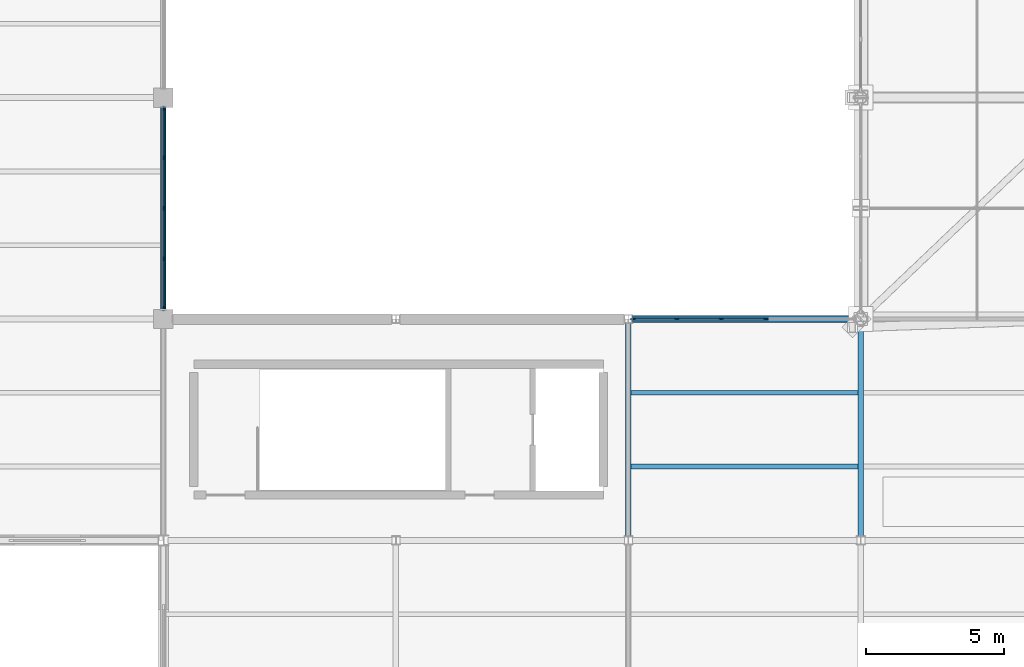
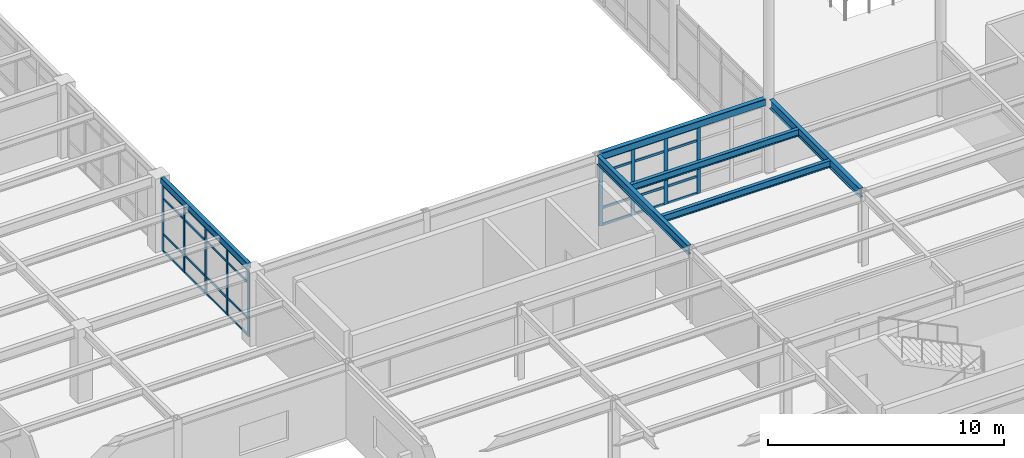
# One storey, part 28 of 138: 37 members, 6 beams, 2 elements without a shape of their own.
"""IFC4 building model written with IfcOpenShell, lengths in metres."""

import ifcopenshell
import ifcopenshell.guid

model = None  # the IFC model being written
_history = None  # IfcOwnerHistory: only IFC2X3 demands one
_inside = {}  # id of a spatial element -> (the spatial element, [elements in it])
_under = {}  # id of a project, library or spatial element -> (it, [spatial elements below it])
_declared = {}  # id of a project -> (the project, [libraries it declares])
_typed = {}  # id of a type object -> (the type object, [elements of that type])
_made_of = {}  # id of a material, layer set ... -> (it, [elements and type objects made of it])


def new_model(schema):
    """Start an empty IFC model of exactly this schema.

    Asked for "IFC4X3", IfcOpenShell would pick the latest addendum, in which some entities
    have other attributes; the version numbers below select the first issue.
    IFC2X3 requires an IfcOwnerHistory on every rooted entity: one is made here for all.
    """
    global model, _history
    if schema == "IFC4X3":
        model = ifcopenshell.file(schema_version=(4, 3, 0, 0))
    else:
        model = ifcopenshell.file(schema=schema)
    _inside.clear()
    _under.clear()
    _declared.clear()
    _typed.clear()
    _made_of.clear()
    _history = None
    if model.schema == "IFC2X3":
        org = make("IfcOrganization", Name="unknown")
        user = make(
            "IfcPersonAndOrganization",
            ThePerson=make("IfcPerson", FamilyName="unknown"),
            TheOrganization=org,
        )
        app = make(
            "IfcApplication",
            ApplicationDeveloper=org,
            Version="unknown",
            ApplicationFullName="unknown",
            ApplicationIdentifier="unknown",
        )
        _history = make(
            "IfcOwnerHistory",
            OwningUser=user,
            OwningApplication=app,
            ChangeAction="ADDED",
            CreationDate=0,
        )
    return model


def make(cls, **values):
    """One entity of the class cls with the attributes given. An attribute that is None is left unset."""
    return model.create_entity(
        cls, **{name: value for name, value in values.items() if value is not None}
    )


def rooted(cls, **values):
    """An entity with a GlobalId (a new one), such as an element, a storey or a relation."""
    return make(cls, GlobalId=ifcopenshell.guid.new(), OwnerHistory=_history, **values)


def si_unit(unit_type, name, prefix=None):
    """IfcSIUnit, for example si_unit("LENGTHUNIT", "METRE", prefix="MILLI")."""
    return make("IfcSIUnit", UnitType=unit_type, Prefix=prefix, Name=name)


def assignment(units):
    """IfcUnitAssignment: the units of a project."""
    return None if units is None else make("IfcUnitAssignment", Units=units)


def point(xyz):
    """IfcCartesianPoint."""
    return None if xyz is None else make("IfcCartesianPoint", Coordinates=xyz)


def direction(xyz):
    """IfcDirection."""
    return None if xyz is None else make("IfcDirection", DirectionRatios=xyz)


def frame(location, z_axis=None, x_axis=None):
    """IfcAxis2Placement3D, a coordinate frame: its origin and axes. An axis left out is left unset."""
    return make(
        "IfcAxis2Placement3D",
        Location=point(location),
        Axis=direction(z_axis),
        RefDirection=direction(x_axis),
    )


def frame_2d(location, x_axis=None):
    """IfcAxis2Placement2D, a coordinate frame in the plane: its origin and x axis."""
    return make(
        "IfcAxis2Placement2D", Location=point(location), RefDirection=direction(x_axis)
    )


def origin():
    """The frame at (0, 0, 0) with its axes left unset."""
    return frame((0.0, 0.0, 0.0))


def origin_2d():
    """The frame at (0, 0) in the plane with its x axis left unset."""
    return frame_2d((0.0, 0.0))


def place(relative_to, where):
    """IfcLocalPlacement: puts the frame where relative to a parent placement (None: the world)."""
    return make(
        "IfcLocalPlacement", PlacementRelTo=relative_to, RelativePlacement=where
    )


def context(
    kind, dimensions, precision=None, world=None, true_north=None, identifier=None
):
    """IfcGeometricRepresentationContext, for example the 3D "Model" context."""
    return make(
        "IfcGeometricRepresentationContext",
        ContextIdentifier=identifier,
        ContextType=kind,
        CoordinateSpaceDimension=dimensions,
        Precision=precision,
        WorldCoordinateSystem=world,
        TrueNorth=true_north,
    )


def subcontext(parent, identifier, kind, view, scale=None):
    """IfcGeometricRepresentationSubContext, for example "Body" below "Model"."""
    return make(
        "IfcGeometricRepresentationSubContext",
        ContextIdentifier=identifier,
        ContextType=kind,
        ParentContext=parent,
        TargetScale=scale,
        TargetView=view,
    )


def project(units=None, contexts=None):
    """IfcProject with its units and contexts."""
    return rooted(
        "IfcProject",
        Name="project",
        RepresentationContexts=contexts,
        UnitsInContext=assignment(units),
    )


def spatial(cls, under=None, at=None, **own):
    """A site, building, storey or space (cls), placed at a placement, below another one or the project."""
    s = rooted(cls, ObjectPlacement=at, **own)
    if under is not None:
        _under.setdefault(under.id(), (under, []))[1].append(s)
    return s


def profile(cls, at=None, kind="AREA", **sizes):
    """A parametric profile (cls). Its sizes go by their IFC names, for example OverallWidth=200.0."""
    return make(cls, ProfileType=kind, Position=at, **sizes)


def rectangle(**sizes):
    """IfcRectangleProfileDef."""
    return profile("IfcRectangleProfileDef", **sizes)


def hollow_rectangle(**sizes):
    """IfcRectangleHollowProfileDef."""
    return profile("IfcRectangleHollowProfileDef", **sizes)


def i_section(**sizes):
    """IfcIShapeProfileDef."""
    return profile("IfcIShapeProfileDef", **sizes)


def extrude(swept, where, along, depth):
    """IfcExtrudedAreaSolid: the profile swept, set in the frame where, extruded along a direction by depth."""
    return make(
        "IfcExtrudedAreaSolid",
        SweptArea=swept,
        Position=where,
        ExtrudedDirection=direction(along),
        Depth=depth,
    )


def shape(context_of_items, identifier, shape_type, items):
    """IfcShapeRepresentation: the items that make up one representation, for example the "Body"."""
    return make(
        "IfcShapeRepresentation",
        ContextOfItems=context_of_items,
        RepresentationIdentifier=identifier,
        RepresentationType=shape_type,
        Items=items,
    )


def material(Name=None, Category=None):
    """IfcMaterial."""
    return make("IfcMaterial", Name=Name, Category=Category)


def layer(
    of_material, thickness, ventilated=None, Name=None, Category=None, Priority=None
):
    """IfcMaterialLayer: one layer of a wall or slab, of a material (None: an air gap)."""
    return make(
        "IfcMaterialLayer",
        Material=of_material,
        LayerThickness=thickness,
        IsVentilated=ventilated,
        Name=Name,
        Category=Category,
        Priority=Priority,
    )


def layer_set(layers, Name=None):
    """IfcMaterialLayerSet."""
    return make("IfcMaterialLayerSet", MaterialLayers=layers, LayerSetName=Name)


def material_profile(
    of_material, cross_section, Name=None, Category=None, Priority=None
):
    """IfcMaterialProfile: a cross section and its material."""
    return make(
        "IfcMaterialProfile",
        Name=Name,
        Material=of_material,
        Profile=cross_section,
        Priority=Priority,
        Category=Category,
    )


def profile_set(profiles, Name=None, composite=None):
    """IfcMaterialProfileSet."""
    return make(
        "IfcMaterialProfileSet",
        Name=Name,
        MaterialProfiles=profiles,
        CompositeProfile=composite,
    )


def made_of(thing, what):
    """Note that an element or type object is made of a material, layer set ...; save() writes the relation."""
    if what is not None:
        _made_of.setdefault(what.id(), (what, []))[1].append(thing)
    return thing


def type_object(cls, material=None, **own):
    """A type object (cls), such as IfcWallType, which elements share."""
    return made_of(rooted(cls, **own), material)


def element(
    cls,
    number,
    at=None,
    inside=None,
    cuts=None,
    type_object=None,
    material=None,
    context=None,
    identifier="Body",
    shape_type=None,
    held_by="IfcProductDefinitionShape",
    body=None,
    shapes=None,
    **own,
):
    """One element of the class cls, such as IfcWall. Its Tag is "e" and its number.

    at: its placement. inside: the storey or other place that contains it. cuts: it is an
    opening in that element (IfcRelVoidsElement). A single representation is given by context,
    identifier, shape_type and body (its items); several are given by shapes. held_by: the class
    of the entity that holds the representations. save() writes the other relations.
    """
    e = rooted(cls, Tag="e%d" % number, ObjectPlacement=at, **own)
    if body is not None:
        shapes = [shape(context, identifier, shape_type, body)]
    if shapes is not None:
        e.Representation = make(held_by, Representations=shapes)
    if inside is not None:
        _inside.setdefault(inside.id(), (inside, []))[1].append(e)
    if cuts is not None:
        rooted(
            "IfcRelVoidsElement", RelatingBuildingElement=cuts, RelatedOpeningElement=e
        )
    if type_object is not None:
        _typed.setdefault(type_object.id(), (type_object, []))[1].append(e)
    return made_of(e, material)


def aggregate(whole, parts):
    """IfcRelAggregates: a whole, such as a stair, and the parts it consists of."""
    return rooted("IfcRelAggregates", RelatingObject=whole, RelatedObjects=parts)


def save(model, path):
    """Write the relations noted so far, then the file.

    IfcRelAggregates (storeys below a building ...), IfcRelContainedInSpatialStructure (elements
    in a storey), IfcRelDefinesByType, IfcRelAssociatesMaterial and IfcRelDeclares: one each for
    every whole, place, type object, material and project.
    """
    for whole, parts in _under.values():
        aggregate(whole, parts)
    for where, things in _inside.values():
        rooted(
            "IfcRelContainedInSpatialStructure",
            RelatedElements=things,
            RelatingStructure=where,
        )
    for kind, things in _typed.values():
        rooted("IfcRelDefinesByType", RelatedObjects=things, RelatingType=kind)
    for what, things in _made_of.values():
        rooted("IfcRelAssociatesMaterial", RelatedObjects=things, RelatingMaterial=what)
    for by, libraries in _declared.values():
        rooted("IfcRelDeclares", RelatingContext=by, RelatedDefinitions=libraries)
    model.write(path)


model = new_model("IFC4")

# Units and contexts
model_context = context("Model", 3, precision=1e-05, world=origin(), true_north=direction((0.0, 1.0)))
body_context = subcontext(model_context, "Body", "Model", "MODEL_VIEW")
ifc_project = project(units=[si_unit("LENGTHUNIT", "METRE"), si_unit("AREAUNIT", "SQUARE_METRE"), si_unit("VOLUMEUNIT", "CUBIC_METRE"), si_unit("PLANEANGLEUNIT", "RADIAN"), si_unit("MASSUNIT", "GRAM", prefix="KILO")], contexts=[model_context])

# Site, building, storey
site_placement = place(None, origin())
site = spatial("IfcSite", under=ifc_project, at=site_placement, CompositionType="ELEMENT")
building_placement = place(site_placement, origin())
building = spatial("IfcBuilding", under=site, at=building_placement, Name="Kranzveld Transit Interchange", CompositionType="ELEMENT")
storey_placement = place(building_placement, frame((0.0, 0.0, 5.43994140625)))
storey = spatial("IfcBuildingStorey", under=building, at=storey_placement, Name="L01", CompositionType="ELEMENT", Elevation=5.43994140625)

# Beams
ifc_material_1 = material(Name="Steel S355JR", Category="steel")
ifc_material_profile_1 = material_profile(ifc_material_1, i_section(OverallWidth=0.19189453125, OverallDepth=0.46337890625, WebThickness=0.010498046875, FlangeThickness=0.017578125, FilletRadius=0.01025390625, at=origin_2d()), Name="UB 457x191x89")
ifc_profile_set_1 = profile_set([ifc_material_profile_1], Name="Steel S355JR")
beam_type_1 = type_object("IfcBeamType", Name="Beam Steel UB 457x191x89 S355JR", PredefinedType="BEAM", material=ifc_profile_set_1)
beam_1_placement = place(storey_placement, frame((50.39990234375, 48.150146484375, 3.568359375), z_axis=(0.0, 1.0, 0.0), x_axis=(-1.0, 0.0, 0.0)))
element("IfcBeam", 1, at=beam_1_placement, inside=storey, type_object=beam_type_1, Name="L01 Girder 07/G-H", PredefinedType="BEAM", context=body_context, shape_type="SweptSolid", body=[
    extrude(i_section(OverallWidth=0.19189453125, OverallDepth=0.46337890625, WebThickness=0.010498046875, FlangeThickness=0.017578125, FilletRadius=0.01025390625, at=origin_2d()), origin(), (0.0, 0.0, 1.0), 7.69970703125),
])
beam_2_placement = place(storey_placement, frame((58.800048828125, 48.150146484375, 3.568359375), z_axis=(0.0, 1.0, 0.0), x_axis=(-1.0, 0.0, 0.0)))
element("IfcBeam", 2, at=beam_2_placement, inside=storey, type_object=beam_type_1, Name="L01 Girder 08/G-H", PredefinedType="BEAM", context=body_context, shape_type="SweptSolid", body=[
    extrude(i_section(OverallWidth=0.19189453125, OverallDepth=0.46337890625, WebThickness=0.010498046875, FlangeThickness=0.017578125, FilletRadius=0.01025390625, at=origin_2d()), origin(), (0.0, 0.0, 1.0), 7.63134765625),
])

# Curtain wall, members
ifc_material_2 = material(Name="Bronze-anodised thermally broken aluminium", Category="aluminium")
ifc_layer_1 = layer(ifc_material_2, 0.159912109375)
ifc_layer_set_1 = layer_set([ifc_layer_1], Name="Bronze-anodised thermally broken aluminium")
curtain_wall_type_1 = type_object("IfcCurtainWallType", Name="Bus Boarding Glazed Screen CW-3", PredefinedType="USERDEFINED", material=ifc_layer_set_1)
curtain_wall_1_placement = place(storey_placement, origin())
curtain_wall_1 = element("IfcCurtainWall", 3, at=curtain_wall_1_placement, inside=storey, type_object=curtain_wall_type_1, Name="L01 Curtain Wall 05/H-05/J", ObjectType="CURTAIN WALL", PredefinedType="USERDEFINED")
ifc_material_3 = material(Name="Bronze-anodised thermally broken aluminium", Category="aluminium")
ifc_material_profile_2 = material_profile(ifc_material_3, rectangle(XDim=0.06005859375, YDim=0.14990234375, at=origin_2d()), Name="ALU MULLION 60x150")
ifc_profile_set_2 = profile_set([ifc_material_profile_2], Name="Bronze-anodised thermally broken aluminium")
member_type_1 = type_object("IfcMemberType", Name="Curtain Wall Mullion 60x150 Alu", PredefinedType="MULLION", material=ifc_profile_set_2)
member_1_placement = place(storey_placement, frame((33.60009765625, 56.3798828125, 0.0), z_axis=(0.0, 0.0, 1.0), x_axis=(-1.0, 0.0, 0.0)))
member_1 = element("IfcMember", 4, at=member_1_placement, type_object=member_type_1, Name="CW-3 mullion 1", PredefinedType="MULLION", context=body_context, shape_type="SweptSolid", body=[
    extrude(rectangle(XDim=0.06005859375, YDim=0.14990234375, at=origin_2d()), origin(), (0.0, 0.0, 1.0), 3.442138671875),
])
member_2_placement = place(storey_placement, frame((33.60009765625, 58.175048828125, 0.0), z_axis=(0.0, 0.0, 1.0), x_axis=(-1.0, 0.0, 0.0)))
member_2 = element("IfcMember", 5, at=member_2_placement, type_object=member_type_1, Name="CW-3 mullion 2", PredefinedType="MULLION", context=body_context, shape_type="SweptSolid", body=[
    extrude(rectangle(XDim=0.06005859375, YDim=0.14990234375, at=origin_2d()), origin(), (0.0, 0.0, 1.0), 3.442138671875),
])
member_3_placement = place(storey_placement, frame((33.60009765625, 60.0, 0.0), z_axis=(0.0, 0.0, 1.0), x_axis=(-1.0, 0.0, 0.0)))
member_3 = element("IfcMember", 6, at=member_3_placement, type_object=member_type_1, Name="CW-3 mullion 3", PredefinedType="MULLION", context=body_context, shape_type="SweptSolid", body=[
    extrude(rectangle(XDim=0.06005859375, YDim=0.14990234375, at=origin_2d()), origin(), (0.0, 0.0, 1.0), 3.442138671875),
])
member_4_placement = place(storey_placement, frame((33.60009765625, 61.824951171875, 0.0), z_axis=(0.0, 0.0, 1.0), x_axis=(-1.0, 0.0, 0.0)))
member_4 = element("IfcMember", 7, at=member_4_placement, type_object=member_type_1, Name="CW-3 mullion 4", PredefinedType="MULLION", context=body_context, shape_type="SweptSolid", body=[
    extrude(rectangle(XDim=0.06005859375, YDim=0.14990234375, at=origin_2d()), origin(), (0.0, 0.0, 1.0), 3.442138671875),
])
member_5_placement = place(storey_placement, frame((33.60009765625, 63.6201171875, 0.0), z_axis=(0.0, 0.0, 1.0), x_axis=(-1.0, 0.0, 0.0)))
member_5 = element("IfcMember", 8, at=member_5_placement, type_object=member_type_1, Name="CW-3 mullion 5", PredefinedType="MULLION", context=body_context, shape_type="SweptSolid", body=[
    extrude(rectangle(XDim=0.06005859375, YDim=0.14990234375, at=origin_2d()), origin(), (0.0, 0.0, 1.0), 3.442138671875),
])

ifc_material_4 = material(Name="Bronze-anodised thermally broken aluminium", Category="aluminium")
ifc_layer_2 = layer(ifc_material_4, 0.1650390625)
ifc_layer_set_2 = layer_set([ifc_layer_2], Name="Bronze-anodised thermally broken aluminium")
curtain_wall_type_2 = type_object("IfcCurtainWallType", Name="Sunny Court Arcade Curtain Wall CW-2", PredefinedType="USERDEFINED", material=ifc_layer_set_2)
curtain_wall_2_placement = place(storey_placement, origin())
curtain_wall_2 = element("IfcCurtainWall", 9, at=curtain_wall_2_placement, inside=storey, type_object=curtain_wall_type_2, Name="L01 Curtain Wall 07/H-08/H", ObjectType="CURTAIN WALL", PredefinedType="USERDEFINED")
ifc_material_5 = material(Name="Bronze-anodised thermally broken aluminium", Category="aluminium")
ifc_material_profile_3 = material_profile(ifc_material_5, rectangle(XDim=0.06494140625, YDim=0.179931640625, at=origin_2d()), Name="ALU MULLION 65x180")
ifc_profile_set_3 = profile_set([ifc_material_profile_3], Name="Bronze-anodised thermally broken aluminium")
member_type_2 = type_object("IfcMemberType", Name="Curtain Wall Mullion 65x180 Alu", PredefinedType="MULLION", material=ifc_profile_set_3)
member_6_placement = place(storey_placement, frame((50.587158203125, 56.0, 0.0), z_axis=(0.0, 0.0, 1.0), x_axis=(0.0, 1.0, 0.0)))
member_6 = element("IfcMember", 10, at=member_6_placement, type_object=member_type_2, Name="CW-2 mullion 1", PredefinedType="MULLION", context=body_context, shape_type="SweptSolid", body=[
    extrude(rectangle(XDim=0.06494140625, YDim=0.179931640625, at=origin_2d()), origin(), (0.0, 0.0, 1.0), 3.449951171875),
])
member_7_placement = place(storey_placement, frame((52.157958984375, 56.0, 0.0), z_axis=(0.0, 0.0, 1.0), x_axis=(0.0, 1.0, 0.0)))
member_7 = element("IfcMember", 11, at=member_7_placement, type_object=member_type_2, Name="CW-2 mullion 2", PredefinedType="MULLION", context=body_context, shape_type="SweptSolid", body=[
    extrude(rectangle(XDim=0.06494140625, YDim=0.179931640625, at=origin_2d()), origin(), (0.0, 0.0, 1.0), 3.449951171875),
])
member_8_placement = place(storey_placement, frame((53.761474609375, 56.0, 0.0), z_axis=(0.0, 0.0, 1.0), x_axis=(0.0, 1.0, 0.0)))
member_8 = element("IfcMember", 12, at=member_8_placement, type_object=member_type_2, Name="CW-2 mullion 3", PredefinedType="MULLION", context=body_context, shape_type="SweptSolid", body=[
    extrude(rectangle(XDim=0.06494140625, YDim=0.179931640625, at=origin_2d()), origin(), (0.0, 0.0, 1.0), 3.449951171875),
])
member_9_placement = place(storey_placement, frame((55.36474609375, 56.0, 0.0), z_axis=(0.0, 0.0, 1.0), x_axis=(0.0, 1.0, 0.0)))
member_9 = element("IfcMember", 13, at=member_9_placement, type_object=member_type_2, Name="CW-2 mullion 4", PredefinedType="MULLION", context=body_context, shape_type="SweptSolid", body=[
    extrude(rectangle(XDim=0.06494140625, YDim=0.179931640625, at=origin_2d()), origin(), (0.0, 0.0, 1.0), 3.449951171875),
])

# Member
ifc_material_6 = material(Name="Bronze-anodised thermally broken aluminium", Category="aluminium")
ifc_material_profile_4 = material_profile(ifc_material_6, rectangle(XDim=0.06005859375, YDim=0.110107421875, at=origin_2d()), Name="ALU TRANSOM 60x110")
ifc_profile_set_4 = profile_set([ifc_material_profile_4], Name="Bronze-anodised thermally broken aluminium")
member_type_3 = type_object("IfcMemberType", Name="Curtain Wall Transom 60x110 Alu", PredefinedType="USERDEFINED", material=ifc_profile_set_4)
member_10_placement = place(storey_placement, frame((33.60009765625, 56.409912109375, 0.030029296875), z_axis=(0.0, 1.0, 0.0), x_axis=(-1.0, 0.0, 0.0)))
member_10 = element("IfcMember", 14, at=member_10_placement, type_object=member_type_3, Name="CW-3 transom 1.1", ObjectType="TRANSOM", PredefinedType="USERDEFINED", context=body_context, shape_type="SweptSolid", body=[
    extrude(rectangle(XDim=0.06005859375, YDim=0.110107421875, at=origin_2d()), origin(), (0.0, 0.0, 1.0), 1.735107421875),
])

member_11_placement = place(storey_placement, frame((33.60009765625, 56.409912109375, 0.900146484375), z_axis=(0.0, 1.0, 0.0), x_axis=(-1.0, 0.0, 0.0)))
member_11 = element("IfcMember", 15, at=member_11_placement, type_object=member_type_3, Name="CW-3 transom 1.2", ObjectType="TRANSOM", PredefinedType="USERDEFINED", context=body_context, shape_type="SweptSolid", body=[
    extrude(rectangle(XDim=0.06005859375, YDim=0.110107421875, at=origin_2d()), origin(), (0.0, 0.0, 1.0), 1.735107421875),
])

member_12_placement = place(storey_placement, frame((33.60009765625, 56.409912109375, 2.741943359375), z_axis=(0.0, 1.0, 0.0), x_axis=(-1.0, 0.0, 0.0)))
member_12 = element("IfcMember", 16, at=member_12_placement, type_object=member_type_3, Name="CW-3 transom 1.3", ObjectType="TRANSOM", PredefinedType="USERDEFINED", context=body_context, shape_type="SweptSolid", body=[
    extrude(rectangle(XDim=0.06005859375, YDim=0.110107421875, at=origin_2d()), origin(), (0.0, 0.0, 1.0), 1.735107421875),
])

member_13_placement = place(storey_placement, frame((33.60009765625, 56.409912109375, 3.412109375), z_axis=(0.0, 1.0, 0.0), x_axis=(-1.0, 0.0, 0.0)))
member_13 = element("IfcMember", 17, at=member_13_placement, type_object=member_type_3, Name="CW-3 transom 1.4", ObjectType="TRANSOM", PredefinedType="USERDEFINED", context=body_context, shape_type="SweptSolid", body=[
    extrude(rectangle(XDim=0.06005859375, YDim=0.110107421875, at=origin_2d()), origin(), (0.0, 0.0, 1.0), 1.735107421875),
])

member_14_placement = place(storey_placement, frame((33.60009765625, 58.205078125, 0.030029296875), z_axis=(0.0, 1.0, 0.0), x_axis=(-1.0, 0.0, 0.0)))
member_14 = element("IfcMember", 18, at=member_14_placement, type_object=member_type_3, Name="CW-3 transom 2.1", ObjectType="TRANSOM", PredefinedType="USERDEFINED", context=body_context, shape_type="SweptSolid", body=[
    extrude(rectangle(XDim=0.06005859375, YDim=0.110107421875, at=origin_2d()), origin(), (0.0, 0.0, 1.0), 1.764892578125),
])

member_15_placement = place(storey_placement, frame((33.60009765625, 58.205078125, 0.900146484375), z_axis=(0.0, 1.0, 0.0), x_axis=(-1.0, 0.0, 0.0)))
member_15 = element("IfcMember", 19, at=member_15_placement, type_object=member_type_3, Name="CW-3 transom 2.2", ObjectType="TRANSOM", PredefinedType="USERDEFINED", context=body_context, shape_type="SweptSolid", body=[
    extrude(rectangle(XDim=0.06005859375, YDim=0.110107421875, at=origin_2d()), origin(), (0.0, 0.0, 1.0), 1.764892578125),
])

member_16_placement = place(storey_placement, frame((33.60009765625, 58.205078125, 2.741943359375), z_axis=(0.0, 1.0, 0.0), x_axis=(-1.0, 0.0, 0.0)))
member_16 = element("IfcMember", 20, at=member_16_placement, type_object=member_type_3, Name="CW-3 transom 2.3", ObjectType="TRANSOM", PredefinedType="USERDEFINED", context=body_context, shape_type="SweptSolid", body=[
    extrude(rectangle(XDim=0.06005859375, YDim=0.110107421875, at=origin_2d()), origin(), (0.0, 0.0, 1.0), 1.764892578125),
])

member_17_placement = place(storey_placement, frame((33.60009765625, 58.205078125, 3.412109375), z_axis=(0.0, 1.0, 0.0), x_axis=(-1.0, 0.0, 0.0)))
member_17 = element("IfcMember", 21, at=member_17_placement, type_object=member_type_3, Name="CW-3 transom 2.4", ObjectType="TRANSOM", PredefinedType="USERDEFINED", context=body_context, shape_type="SweptSolid", body=[
    extrude(rectangle(XDim=0.06005859375, YDim=0.110107421875, at=origin_2d()), origin(), (0.0, 0.0, 1.0), 1.764892578125),
])

member_18_placement = place(storey_placement, frame((33.60009765625, 60.030029296875, 0.030029296875), z_axis=(0.0, 1.0, 0.0), x_axis=(-1.0, 0.0, 0.0)))
member_18 = element("IfcMember", 22, at=member_18_placement, type_object=member_type_3, Name="CW-3 transom 3.1", ObjectType="TRANSOM", PredefinedType="USERDEFINED", context=body_context, shape_type="SweptSolid", body=[
    extrude(rectangle(XDim=0.06005859375, YDim=0.110107421875, at=origin_2d()), origin(), (0.0, 0.0, 1.0), 1.764892578125),
])

member_19_placement = place(storey_placement, frame((33.60009765625, 60.030029296875, 0.900146484375), z_axis=(0.0, 1.0, 0.0), x_axis=(-1.0, 0.0, 0.0)))
member_19 = element("IfcMember", 23, at=member_19_placement, type_object=member_type_3, Name="CW-3 transom 3.2", ObjectType="TRANSOM", PredefinedType="USERDEFINED", context=body_context, shape_type="SweptSolid", body=[
    extrude(rectangle(XDim=0.06005859375, YDim=0.110107421875, at=origin_2d()), origin(), (0.0, 0.0, 1.0), 1.764892578125),
])

member_20_placement = place(storey_placement, frame((33.60009765625, 60.030029296875, 2.741943359375), z_axis=(0.0, 1.0, 0.0), x_axis=(-1.0, 0.0, 0.0)))
member_20 = element("IfcMember", 24, at=member_20_placement, type_object=member_type_3, Name="CW-3 transom 3.3", ObjectType="TRANSOM", PredefinedType="USERDEFINED", context=body_context, shape_type="SweptSolid", body=[
    extrude(rectangle(XDim=0.06005859375, YDim=0.110107421875, at=origin_2d()), origin(), (0.0, 0.0, 1.0), 1.764892578125),
])

member_21_placement = place(storey_placement, frame((33.60009765625, 60.030029296875, 3.412109375), z_axis=(0.0, 1.0, 0.0), x_axis=(-1.0, 0.0, 0.0)))
member_21 = element("IfcMember", 25, at=member_21_placement, type_object=member_type_3, Name="CW-3 transom 3.4", ObjectType="TRANSOM", PredefinedType="USERDEFINED", context=body_context, shape_type="SweptSolid", body=[
    extrude(rectangle(XDim=0.06005859375, YDim=0.110107421875, at=origin_2d()), origin(), (0.0, 0.0, 1.0), 1.764892578125),
])

member_22_placement = place(storey_placement, frame((33.60009765625, 61.85498046875, 0.030029296875), z_axis=(0.0, 1.0, 0.0), x_axis=(-1.0, 0.0, 0.0)))
member_22 = element("IfcMember", 26, at=member_22_placement, type_object=member_type_3, Name="CW-3 transom 4.1", ObjectType="TRANSOM", PredefinedType="USERDEFINED", context=body_context, shape_type="SweptSolid", body=[
    extrude(rectangle(XDim=0.06005859375, YDim=0.110107421875, at=origin_2d()), origin(), (0.0, 0.0, 1.0), 1.735107421875),
])

member_23_placement = place(storey_placement, frame((33.60009765625, 61.85498046875, 0.900146484375), z_axis=(0.0, 1.0, 0.0), x_axis=(-1.0, 0.0, 0.0)))
member_23 = element("IfcMember", 27, at=member_23_placement, type_object=member_type_3, Name="CW-3 transom 4.2", ObjectType="TRANSOM", PredefinedType="USERDEFINED", context=body_context, shape_type="SweptSolid", body=[
    extrude(rectangle(XDim=0.06005859375, YDim=0.110107421875, at=origin_2d()), origin(), (0.0, 0.0, 1.0), 1.735107421875),
])

member_24_placement = place(storey_placement, frame((33.60009765625, 61.85498046875, 2.741943359375), z_axis=(0.0, 1.0, 0.0), x_axis=(-1.0, 0.0, 0.0)))
member_24 = element("IfcMember", 28, at=member_24_placement, type_object=member_type_3, Name="CW-3 transom 4.3", ObjectType="TRANSOM", PredefinedType="USERDEFINED", context=body_context, shape_type="SweptSolid", body=[
    extrude(rectangle(XDim=0.06005859375, YDim=0.110107421875, at=origin_2d()), origin(), (0.0, 0.0, 1.0), 1.735107421875),
])

member_25_placement = place(storey_placement, frame((33.60009765625, 61.85498046875, 3.412109375), z_axis=(0.0, 1.0, 0.0), x_axis=(-1.0, 0.0, 0.0)))
member_25 = element("IfcMember", 29, at=member_25_placement, type_object=member_type_3, Name="CW-3 transom 4.4", ObjectType="TRANSOM", PredefinedType="USERDEFINED", context=body_context, shape_type="SweptSolid", body=[
    extrude(rectangle(XDim=0.06005859375, YDim=0.110107421875, at=origin_2d()), origin(), (0.0, 0.0, 1.0), 1.735107421875),
])

aggregate(curtain_wall_1, [member_1, member_2, member_3, member_4, member_5, member_10, member_11, member_12, member_13, member_14, member_15, member_16, member_17, member_18, member_19, member_20, member_21, member_22, member_23, member_24, member_25])

ifc_material_7 = material(Name="Bronze-anodised thermally broken aluminium", Category="aluminium")
ifc_material_profile_5 = material_profile(ifc_material_7, rectangle(XDim=0.06005859375, YDim=0.125, at=origin_2d()), Name="ALU TRANSOM 60x125")
ifc_profile_set_5 = profile_set([ifc_material_profile_5], Name="Bronze-anodised thermally broken aluminium")
member_type_4 = type_object("IfcMemberType", Name="Curtain Wall Transom 60x125 Alu", PredefinedType="USERDEFINED", material=ifc_profile_set_5)
member_26_placement = place(storey_placement, frame((50.61962890625, 56.0, 0.030029296875), z_axis=(1.0, 0.0, 0.0), x_axis=(0.0, 1.0, 0.0)))
member_26 = element("IfcMember", 30, at=member_26_placement, type_object=member_type_4, Name="CW-2 transom 1.1", ObjectType="TRANSOM", PredefinedType="USERDEFINED", context=body_context, shape_type="SweptSolid", body=[
    extrude(rectangle(XDim=0.06005859375, YDim=0.125, at=origin_2d()), origin(), (0.0, 0.0, 1.0), 1.505859375),
])

member_27_placement = place(storey_placement, frame((50.61962890625, 56.0, 0.900146484375), z_axis=(1.0, 0.0, 0.0), x_axis=(0.0, 1.0, 0.0)))
member_27 = element("IfcMember", 31, at=member_27_placement, type_object=member_type_4, Name="CW-2 transom 1.2", ObjectType="TRANSOM", PredefinedType="USERDEFINED", context=body_context, shape_type="SweptSolid", body=[
    extrude(rectangle(XDim=0.06005859375, YDim=0.125, at=origin_2d()), origin(), (0.0, 0.0, 1.0), 1.505859375),
])

member_28_placement = place(storey_placement, frame((50.61962890625, 56.0, 2.75), z_axis=(1.0, 0.0, 0.0), x_axis=(0.0, 1.0, 0.0)))
member_28 = element("IfcMember", 32, at=member_28_placement, type_object=member_type_4, Name="CW-2 transom 1.3", ObjectType="TRANSOM", PredefinedType="USERDEFINED", context=body_context, shape_type="SweptSolid", body=[
    extrude(rectangle(XDim=0.06005859375, YDim=0.125, at=origin_2d()), origin(), (0.0, 0.0, 1.0), 1.505859375),
])

member_29_placement = place(storey_placement, frame((50.61962890625, 56.0, 3.420166015625), z_axis=(1.0, 0.0, 0.0), x_axis=(0.0, 1.0, 0.0)))
member_29 = element("IfcMember", 33, at=member_29_placement, type_object=member_type_4, Name="CW-2 transom 1.4", ObjectType="TRANSOM", PredefinedType="USERDEFINED", context=body_context, shape_type="SweptSolid", body=[
    extrude(rectangle(XDim=0.06005859375, YDim=0.125, at=origin_2d()), origin(), (0.0, 0.0, 1.0), 1.505859375),
])

member_30_placement = place(storey_placement, frame((52.1904296875, 56.0, 0.030029296875), z_axis=(1.0, 0.0, 0.0), x_axis=(0.0, 1.0, 0.0)))
member_30 = element("IfcMember", 34, at=member_30_placement, type_object=member_type_4, Name="CW-2 transom 2.1", ObjectType="TRANSOM", PredefinedType="USERDEFINED", context=body_context, shape_type="SweptSolid", body=[
    extrude(rectangle(XDim=0.06005859375, YDim=0.125, at=origin_2d()), origin(), (0.0, 0.0, 1.0), 1.538330078125),
])

member_31_placement = place(storey_placement, frame((52.1904296875, 56.0, 0.900146484375), z_axis=(1.0, 0.0, 0.0), x_axis=(0.0, 1.0, 0.0)))
member_31 = element("IfcMember", 35, at=member_31_placement, type_object=member_type_4, Name="CW-2 transom 2.2", ObjectType="TRANSOM", PredefinedType="USERDEFINED", context=body_context, shape_type="SweptSolid", body=[
    extrude(rectangle(XDim=0.06005859375, YDim=0.125, at=origin_2d()), origin(), (0.0, 0.0, 1.0), 1.538330078125),
])

member_32_placement = place(storey_placement, frame((52.1904296875, 56.0, 2.75), z_axis=(1.0, 0.0, 0.0), x_axis=(0.0, 1.0, 0.0)))
member_32 = element("IfcMember", 36, at=member_32_placement, type_object=member_type_4, Name="CW-2 transom 2.3", ObjectType="TRANSOM", PredefinedType="USERDEFINED", context=body_context, shape_type="SweptSolid", body=[
    extrude(rectangle(XDim=0.06005859375, YDim=0.125, at=origin_2d()), origin(), (0.0, 0.0, 1.0), 1.538330078125),
])

member_33_placement = place(storey_placement, frame((52.1904296875, 56.0, 3.420166015625), z_axis=(1.0, 0.0, 0.0), x_axis=(0.0, 1.0, 0.0)))
member_33 = element("IfcMember", 37, at=member_33_placement, type_object=member_type_4, Name="CW-2 transom 2.4", ObjectType="TRANSOM", PredefinedType="USERDEFINED", context=body_context, shape_type="SweptSolid", body=[
    extrude(rectangle(XDim=0.06005859375, YDim=0.125, at=origin_2d()), origin(), (0.0, 0.0, 1.0), 1.538330078125),
])

member_34_placement = place(storey_placement, frame((53.7939453125, 56.0, 0.030029296875), z_axis=(1.0, 0.0, 0.0), x_axis=(0.0, 1.0, 0.0)))
member_34 = element("IfcMember", 38, at=member_34_placement, type_object=member_type_4, Name="CW-2 transom 3.1", ObjectType="TRANSOM", PredefinedType="USERDEFINED", context=body_context, shape_type="SweptSolid", body=[
    extrude(rectangle(XDim=0.06005859375, YDim=0.125, at=origin_2d()), origin(), (0.0, 0.0, 1.0), 1.538330078125),
])

member_35_placement = place(storey_placement, frame((53.7939453125, 56.0, 0.900146484375), z_axis=(1.0, 0.0, 0.0), x_axis=(0.0, 1.0, 0.0)))
member_35 = element("IfcMember", 39, at=member_35_placement, type_object=member_type_4, Name="CW-2 transom 3.2", ObjectType="TRANSOM", PredefinedType="USERDEFINED", context=body_context, shape_type="SweptSolid", body=[
    extrude(rectangle(XDim=0.06005859375, YDim=0.125, at=origin_2d()), origin(), (0.0, 0.0, 1.0), 1.538330078125),
])

member_36_placement = place(storey_placement, frame((53.7939453125, 56.0, 2.75), z_axis=(1.0, 0.0, 0.0), x_axis=(0.0, 1.0, 0.0)))
member_36 = element("IfcMember", 40, at=member_36_placement, type_object=member_type_4, Name="CW-2 transom 3.3", ObjectType="TRANSOM", PredefinedType="USERDEFINED", context=body_context, shape_type="SweptSolid", body=[
    extrude(rectangle(XDim=0.06005859375, YDim=0.125, at=origin_2d()), origin(), (0.0, 0.0, 1.0), 1.538330078125),
])

member_37_placement = place(storey_placement, frame((53.7939453125, 56.0, 3.420166015625), z_axis=(1.0, 0.0, 0.0), x_axis=(0.0, 1.0, 0.0)))
member_37 = element("IfcMember", 41, at=member_37_placement, type_object=member_type_4, Name="CW-2 transom 3.4", ObjectType="TRANSOM", PredefinedType="USERDEFINED", context=body_context, shape_type="SweptSolid", body=[
    extrude(rectangle(XDim=0.06005859375, YDim=0.125, at=origin_2d()), origin(), (0.0, 0.0, 1.0), 1.538330078125),
])

aggregate(curtain_wall_2, [member_6, member_7, member_8, member_9, member_26, member_27, member_28, member_29, member_30, member_31, member_32, member_33, member_34, member_35, member_36, member_37])

# Beams
ifc_material_8 = material(Name="Steel S355JR", Category="steel")
ifc_material_profile_6 = material_profile(ifc_material_8, hollow_rectangle(XDim=0.199951171875, YDim=0.300048828125, WallThickness=0.010009765625, InnerFilletRadius=0.014892578125, OuterFilletRadius=0.02490234375, at=origin_2d()), Name="RHS 300x200x10")
ifc_profile_set_6 = profile_set([ifc_material_profile_6], Name="Steel S355JR")
beam_type_2 = type_object("IfcBeamType", Name="Edge Spandrel RHS 300x200x10 S355JR", PredefinedType="SPANDREL", material=ifc_profile_set_6)
beam_3_placement = place(storey_placement, frame((33.60009765625, 56.340087890625, 3.650146484375), z_axis=(0.0, 1.0, 0.0), x_axis=(-1.0, 0.0, 0.0)))
element("IfcBeam", 42, at=beam_3_placement, inside=storey, type_object=beam_type_2, Name="L01 Girder 05/H-J", PredefinedType="SPANDREL", context=body_context, shape_type="SweptSolid", body=[
    extrude(hollow_rectangle(XDim=0.199951171875, YDim=0.300048828125, WallThickness=0.010009765625, InnerFilletRadius=0.014892578125, OuterFilletRadius=0.02490234375, at=origin_2d()), origin(), (0.0, 0.0, 1.0), 7.31982421875),
])
ifc_material_9 = material(Name="Steel S355JR", Category="steel")
ifc_material_profile_7 = material_profile(ifc_material_9, hollow_rectangle(XDim=0.25, YDim=0.35009765625, WallThickness=0.012451171875, InnerFilletRadius=0.018798828125, OuterFilletRadius=0.03125, at=origin_2d()), Name="RHS 350x250x12.5")
ifc_profile_set_7 = profile_set([ifc_material_profile_7], Name="Steel S355JR")
beam_type_3 = type_object("IfcBeamType", Name="Edge Spandrel RHS 350x250x12.5 S355JR", PredefinedType="SPANDREL", material=ifc_profile_set_7)
beam_4_placement = place(storey_placement, frame((50.544677734375, 56.0, 3.625), z_axis=(1.0, 0.0, 0.0), x_axis=(0.0, 1.0, 0.0)))
element("IfcBeam", 43, at=beam_4_placement, inside=storey, type_object=beam_type_3, Name="L01 Girder 07-08/H", PredefinedType="SPANDREL", context=body_context, shape_type="SweptSolid", body=[
    extrude(hollow_rectangle(XDim=0.25, YDim=0.35009765625, WallThickness=0.012451171875, InnerFilletRadius=0.018798828125, OuterFilletRadius=0.03125, at=origin_2d()), origin(), (0.0, 0.0, 1.0), 8.036865234375),
])
ifc_material_10 = material(Name="Steel S355JR", Category="steel")
ifc_material_profile_8 = material_profile(ifc_material_10, i_section(OverallWidth=0.172119140625, OverallDepth=0.35791015625, WebThickness=0.008056640625, FlangeThickness=0.012939453125, FilletRadius=0.01025390625, at=origin_2d()), Name="UB 356x171x57")
ifc_profile_set_8 = profile_set([ifc_material_profile_8], Name="Steel S355JR")
beam_type_4 = type_object("IfcBeamType", Name="Floor Joist UB 356x171x57 S355JR", PredefinedType="JOIST", material=ifc_profile_set_8)
for number, where, z_axis, x_axis, name in (
    (44, (50.498046875, 50.666748046875, 3.62109375), (1.0, 0.0, 0.0), (0.0, 1.0, 0.0), "L01 Secondary Joist 07-08/G.1"),
    (45, (50.498046875, 53.333251953125, 3.62109375), (1.0, 0.0, 0.0), (0.0, 1.0, 0.0), "L01 Secondary Joist 07-08/G.2"),
):
    element("IfcBeam", number, at=place(storey_placement, frame(where, z_axis=z_axis, x_axis=x_axis)), inside=storey, type_object=beam_type_4, Name=name, PredefinedType="JOIST", context=body_context, shape_type="SweptSolid", body=[
        extrude(i_section(OverallWidth=0.172119140625, OverallDepth=0.35791015625, WebThickness=0.008056640625, FlangeThickness=0.012939453125, FilletRadius=0.01025390625, at=origin_2d()), origin(), (0.0, 0.0, 1.0), 8.2041015625),
    ])

save(model, "model.ifc")
